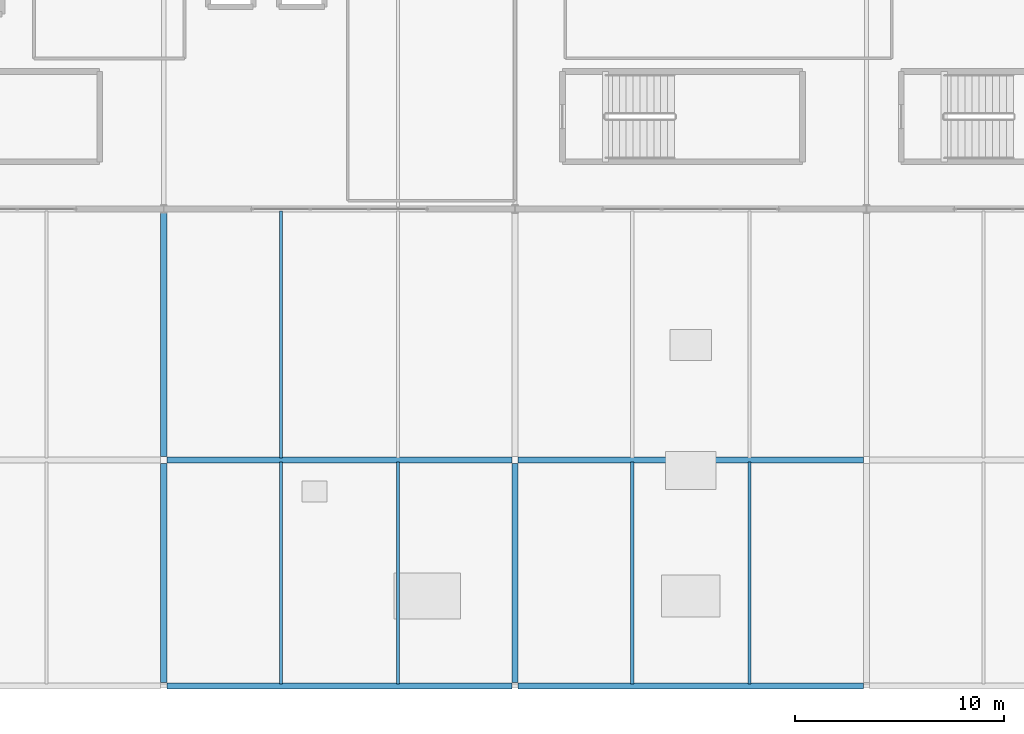
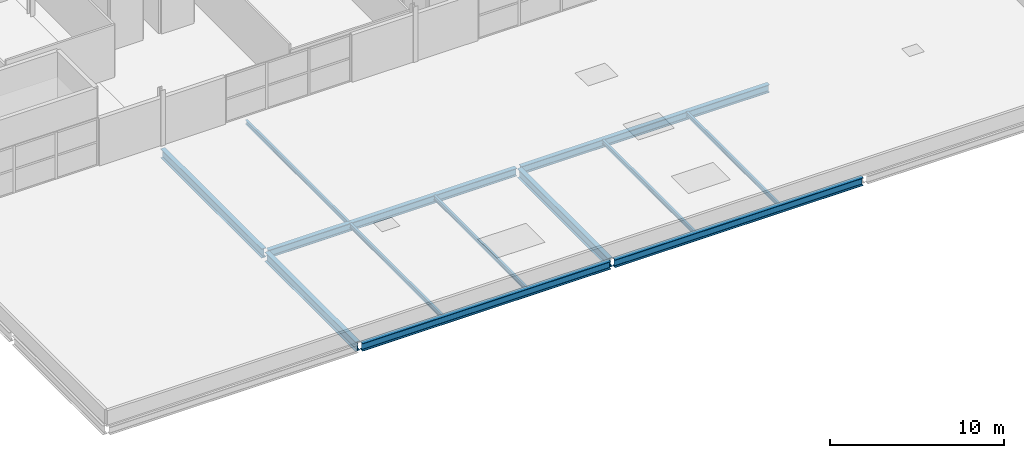
# One storey, part 9 of 36: 12 beams.
"""IFC4 building model written with IfcOpenShell, lengths in metres."""

from ifc_helpers import new_model, si_unit, direction, frame, origin, origin_2d, place, context, subcontext, project, spatial, i_section, extrude, material, material_profile, profile_set, type_object, element, save


model = new_model("IFC4")

# Units and contexts
model_context = context("Model", 3, precision=1e-05, world=origin(), true_north=direction((0.0, 1.0)))
body_context = subcontext(model_context, "Body", "Model", "MODEL_VIEW")
ifc_project = project(units=[si_unit("LENGTHUNIT", "METRE"), si_unit("AREAUNIT", "SQUARE_METRE"), si_unit("VOLUMEUNIT", "CUBIC_METRE"), si_unit("PLANEANGLEUNIT", "RADIAN"), si_unit("MASSUNIT", "GRAM", prefix="KILO")], contexts=[model_context])

# Site, building, storey
site_placement = place(None, origin())
site = spatial("IfcSite", under=ifc_project, at=site_placement, CompositionType="ELEMENT")
building_placement = place(site_placement, origin())
building = spatial("IfcBuilding", under=site, at=building_placement, Name="Kimbaza Rail Terminus", CompositionType="ELEMENT")
storey_placement = place(building_placement, frame((0.0, 0.0, 21.0)))
storey = spatial("IfcBuildingStorey", under=building, at=storey_placement, Name="L04", CompositionType="ELEMENT", Elevation=21.0)

# Beams
ifc_material_1 = material(Name="Steel S355", Category="steel")
ifc_material_profile_1 = material_profile(ifc_material_1, i_section(OverallWidth=0.300048828125, OverallDepth=0.550048828125, WebThickness=0.014892578125, FlangeThickness=0.029052734375, FilletRadius=0.027099609375, at=origin_2d()), Name="HEB 550")
ifc_profile_set_1 = profile_set([ifc_material_profile_1], Name="Steel S355")
beam_type_1 = type_object("IfcBeamType", Name="STR-BM-HEB550", PredefinedType="BEAM", material=ifc_profile_set_1)
beam_1_placement = place(storey_placement, frame((88.946044921875, 80.199951171875, -0.449951171875), z_axis=(1.0, 0.0, 0.0), x_axis=(0.0, 1.0, 0.0)))
element("IfcBeam", 1, at=beam_1_placement, inside=storey, type_object=beam_type_1, Name="Beam BM-BRGRFX-80-1", PredefinedType="BEAM", context=body_context, shape_type="SweptSolid", body=[
    extrude(i_section(OverallWidth=0.300048828125, OverallDepth=0.550048828125, WebThickness=0.014892578125, FlangeThickness=0.029052734375, FilletRadius=0.027099609375, at=origin_2d()), origin(), (0.0, 0.0, 1.0), 16.508056640625),
])
beam_2_placement = place(storey_placement, frame((105.74609375, 80.199951171875, -0.449951171875), z_axis=(1.0, 0.0, 0.0), x_axis=(0.0, 1.0, 0.0)))
element("IfcBeam", 2, at=beam_2_placement, inside=storey, type_object=beam_type_1, Name="Beam BM-BRGRFX-80-2", PredefinedType="BEAM", context=body_context, shape_type="SweptSolid", body=[
    extrude(i_section(OverallWidth=0.300048828125, OverallDepth=0.550048828125, WebThickness=0.014892578125, FlangeThickness=0.029052734375, FilletRadius=0.027099609375, at=origin_2d()), origin(), (0.0, 0.0, 1.0), 16.5078125),
])
beam_3_placement = place(storey_placement, frame((88.946044921875, 91.0, -0.449951171875), z_axis=(1.0, 0.0, 0.0), x_axis=(0.0, 1.0, 0.0)))
element("IfcBeam", 3, at=beam_3_placement, inside=storey, type_object=beam_type_1, Name="Beam BM-BRGRFX-91-1", PredefinedType="BEAM", context=body_context, shape_type="SweptSolid", body=[
    extrude(i_section(OverallWidth=0.300048828125, OverallDepth=0.550048828125, WebThickness=0.014892578125, FlangeThickness=0.029052734375, FilletRadius=0.027099609375, at=origin_2d()), origin(), (0.0, 0.0, 1.0), 16.508056640625),
])
beam_4_placement = place(storey_placement, frame((105.74609375, 91.0, -0.449951171875), z_axis=(1.0, 0.0, 0.0), x_axis=(0.0, 1.0, 0.0)))
element("IfcBeam", 4, at=beam_4_placement, inside=storey, type_object=beam_type_1, Name="Beam BM-BRGRFX-91-2", PredefinedType="BEAM", context=body_context, shape_type="SweptSolid", body=[
    extrude(i_section(OverallWidth=0.300048828125, OverallDepth=0.550048828125, WebThickness=0.014892578125, FlangeThickness=0.029052734375, FilletRadius=0.027099609375, at=origin_2d()), origin(), (0.0, 0.0, 1.0), 16.5078125),
])
ifc_material_2 = material(Name="Steel S355", Category="steel")
ifc_material_profile_2 = material_profile(ifc_material_2, i_section(OverallWidth=0.300048828125, OverallDepth=0.64990234375, WebThickness=0.01611328125, FlangeThickness=0.031005859375, FilletRadius=0.027099609375, at=origin_2d()), Name="HEB 650")
ifc_profile_set_2 = profile_set([ifc_material_profile_2], Name="Steel S355")
beam_type_2 = type_object("IfcBeamType", Name="STR-BM-HEB650", PredefinedType="USERDEFINED", material=ifc_profile_set_2)
beam_5_placement = place(storey_placement, frame((88.800048828125, 80.375, -0.5), z_axis=(0.0, 1.0, 0.0), x_axis=(-1.0, 0.0, 0.0)))
element("IfcBeam", 5, at=beam_5_placement, inside=storey, type_object=beam_type_2, Name="Beam BM-BRGRFY-89-80", ObjectType="GIRDER", PredefinedType="USERDEFINED", context=body_context, shape_type="SweptSolid", body=[
    extrude(i_section(OverallWidth=0.300048828125, OverallDepth=0.64990234375, WebThickness=0.01611328125, FlangeThickness=0.031005859375, FilletRadius=0.027099609375, at=origin_2d()), origin(), (0.0, 0.0, 1.0), 10.449951171875),
])
beam_6_placement = place(storey_placement, frame((88.800048828125, 91.175048828125, -0.5), z_axis=(0.0, 1.0, 0.0), x_axis=(-1.0, 0.0, 0.0)))
element("IfcBeam", 6, at=beam_6_placement, inside=storey, type_object=beam_type_2, Name="Beam BM-BRGRFY-89-91", ObjectType="GIRDER", PredefinedType="USERDEFINED", context=body_context, shape_type="SweptSolid", body=[
    extrude(i_section(OverallWidth=0.300048828125, OverallDepth=0.64990234375, WebThickness=0.01611328125, FlangeThickness=0.031005859375, FilletRadius=0.027099609375, at=origin_2d()), origin(), (0.0, 0.0, 1.0), 11.64990234375),
])
beam_7_placement = place(storey_placement, frame((105.60009765625, 80.375, -0.5), z_axis=(0.0, 1.0, 0.0), x_axis=(-1.0, 0.0, 0.0)))
element("IfcBeam", 7, at=beam_7_placement, inside=storey, type_object=beam_type_2, Name="Beam BM-BRGRFY-106-80", ObjectType="GIRDER", PredefinedType="USERDEFINED", context=body_context, shape_type="SweptSolid", body=[
    extrude(i_section(OverallWidth=0.300048828125, OverallDepth=0.64990234375, WebThickness=0.01611328125, FlangeThickness=0.031005859375, FilletRadius=0.027099609375, at=origin_2d()), origin(), (0.0, 0.0, 1.0), 10.449951171875),
])
ifc_material_3 = material(Name="Steel S355", Category="steel")
ifc_material_profile_3 = material_profile(ifc_material_3, i_section(OverallWidth=0.14990234375, OverallDepth=0.300048828125, WebThickness=0.007080078125, FlangeThickness=0.0107421875, FilletRadius=0.014892578125, at=origin_2d()), Name="IPE 300")
ifc_profile_set_3 = profile_set([ifc_material_profile_3], Name="Steel S355")
beam_type_3 = type_object("IfcBeamType", Name="STR-BM-IPE300", PredefinedType="JOIST", material=ifc_profile_set_3)
beam_8_placement = place(storey_placement, frame((94.39990234375, 80.300048828125, -0.324951171875), z_axis=(0.0, 1.0, 0.0), x_axis=(-1.0, 0.0, 0.0)))
element("IfcBeam", 8, at=beam_8_placement, inside=storey, type_object=beam_type_3, Name="Beam JST-BRGRF-L04-1-1-80", PredefinedType="JOIST", context=body_context, shape_type="SweptSolid", body=[
    extrude(i_section(OverallWidth=0.14990234375, OverallDepth=0.300048828125, WebThickness=0.007080078125, FlangeThickness=0.0107421875, FilletRadius=0.014892578125, at=origin_2d()), origin(), (0.0, 0.0, 1.0), 10.599853515625),
])
beam_9_placement = place(storey_placement, frame((94.39990234375, 91.10009765625, -0.324951171875), z_axis=(0.0, 1.0, 0.0), x_axis=(-1.0, 0.0, 0.0)))
element("IfcBeam", 9, at=beam_9_placement, inside=storey, type_object=beam_type_3, Name="Beam JST-BRGRF-L04-1-1-91", PredefinedType="JOIST", context=body_context, shape_type="SweptSolid", body=[
    extrude(i_section(OverallWidth=0.14990234375, OverallDepth=0.300048828125, WebThickness=0.007080078125, FlangeThickness=0.0107421875, FilletRadius=0.014892578125, at=origin_2d()), origin(), (0.0, 0.0, 1.0), 11.7998046875),
])
for number, where, z_axis, x_axis, name in (
    (10, (100.0, 80.300048828125, -0.324951171875), (0.0, 1.0, 0.0), (-1.0, 0.0, 0.0), "Beam JST-BRGRF-L04-1-2-80"),
    (11, (111.199951171875, 80.300048828125, -0.324951171875), (0.0, 1.0, 0.0), (-1.0, 0.0, 0.0), "Beam JST-BRGRF-L04-2-1-80"),
    (12, (116.800048828125, 80.300048828125, -0.324951171875), (0.0, 1.0, 0.0), (-1.0, 0.0, 0.0), "Beam JST-BRGRF-L04-2-2-80"),
):
    element("IfcBeam", number, at=place(storey_placement, frame(where, z_axis=z_axis, x_axis=x_axis)), inside=storey, type_object=beam_type_3, Name=name, PredefinedType="JOIST", context=body_context, shape_type="SweptSolid", body=[
        extrude(i_section(OverallWidth=0.14990234375, OverallDepth=0.300048828125, WebThickness=0.007080078125, FlangeThickness=0.0107421875, FilletRadius=0.014892578125, at=origin_2d()), origin(), (0.0, 0.0, 1.0), 10.599853515625),
    ])

save(model, "model.ifc")
